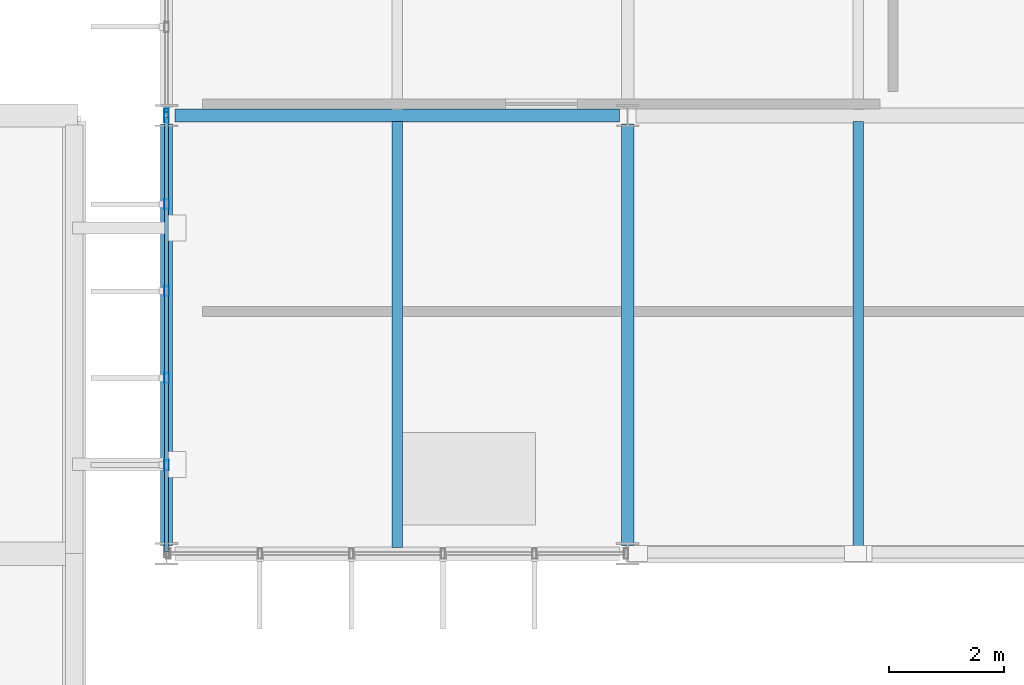
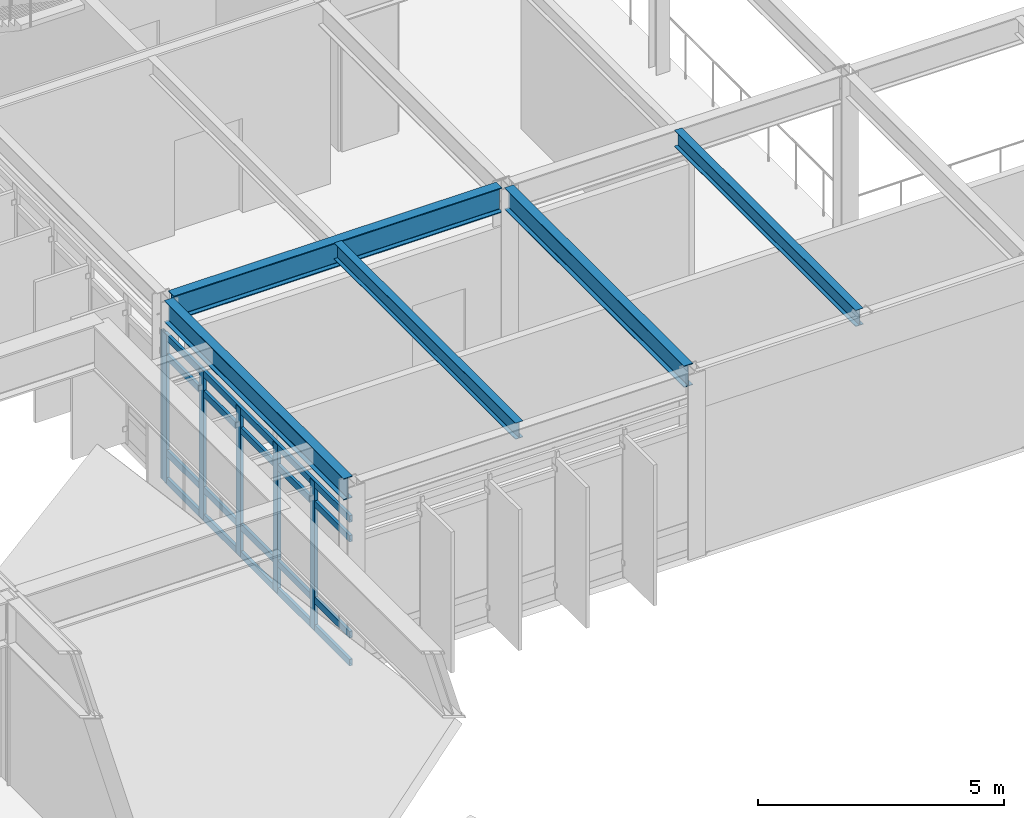
# One storey, part 37 of 104: 10 members, 5 beams, 2 elements without a shape of their own.
"""IFC4 building model written with IfcOpenShell, lengths in metres."""

from ifc_helpers import new_model, si_unit, direction, frame, origin, origin_2d, place, context, subcontext, project, spatial, hollow_rectangle, i_section, extrude, material, material_profile, profile_set, type_object, element, aggregate, save


model = new_model("IFC4")

# Units and contexts
model_context = context("Model", 3, precision=1e-05, world=origin(), true_north=direction((0.0, 1.0)))
body_context = subcontext(model_context, "Body", "Model", "MODEL_VIEW")
ifc_project = project(units=[si_unit("LENGTHUNIT", "METRE"), si_unit("AREAUNIT", "SQUARE_METRE"), si_unit("VOLUMEUNIT", "CUBIC_METRE"), si_unit("PLANEANGLEUNIT", "RADIAN"), si_unit("MASSUNIT", "GRAM", prefix="KILO")], contexts=[model_context])

# Site, building, storey
site_placement = place(None, origin())
site = spatial("IfcSite", under=ifc_project, at=site_placement, CompositionType="ELEMENT")
building_placement = place(site_placement, origin())
building = spatial("IfcBuilding", under=site, at=building_placement, Name="Zulena Civic Courthouse", CompositionType="ELEMENT")
storey_placement = place(building_placement, frame((0.0, 0.0, 10.800048828125)))
storey = spatial("IfcBuildingStorey", under=building, at=storey_placement, Name="L02", CompositionType="ELEMENT", Elevation=10.800048828125)

# Curtain wall, members
ifc_material_1 = material(Name="Double-silver low-E laminated solar-control glass", Category="glass")
curtain_wall_type = type_object("IfcCurtainWallType", Name="CW_7540x3690", PredefinedType="USERDEFINED", material=ifc_material_1)
curtain_wall_1_placement = place(storey_placement, origin())
curtain_wall_1 = element("IfcCurtainWall", 1, at=curtain_wall_1_placement, inside=storey, type_object=curtain_wall_type, Name="cw:V4:L02:0:0", ObjectType="UNITISED CURTAIN WALL", PredefinedType="USERDEFINED")
ifc_material_2 = material(Name="Bronze anodised thermally broken aluminium AA6063-T6", Category="aluminium")
ifc_material_profile_1 = material_profile(ifc_material_2, hollow_rectangle(XDim=0.074951171875, YDim=0.179931640625, WallThickness=0.0048828125, at=origin_2d()), Name="CWM180X75X5")
ifc_profile_set_1 = profile_set([ifc_material_profile_1], Name="Bronze anodised thermally broken aluminium AA6063-T6")
member_type_1 = type_object("IfcMemberType", Name="CWMullion_180x75", PredefinedType="MULLION", material=ifc_profile_set_1)
member_1_placement = place(storey_placement, frame((68.0, 16.738037109375, 0.0), z_axis=(0.0, 0.0, 1.0), x_axis=(1.0, 0.0, 0.0)))
member_1 = element("IfcMember", 2, at=member_1_placement, type_object=member_type_1, Name="cw:V4:L02:0:0:mull:1", PredefinedType="MULLION", context=body_context, shape_type="SweptSolid", body=[
    extrude(hollow_rectangle(XDim=0.074951171875, YDim=0.179931640625, WallThickness=0.0048828125, at=origin_2d()), origin(), (0.0, 0.0, 1.0), 3.68994140625),
])
member_2_placement = place(storey_placement, frame((68.0, 18.24609375, 0.0), z_axis=(0.0, 0.0, 1.0), x_axis=(1.0, 0.0, 0.0)))
member_2 = element("IfcMember", 3, at=member_2_placement, type_object=member_type_1, Name="cw:V4:L02:0:0:mull:2", PredefinedType="MULLION", context=body_context, shape_type="SweptSolid", body=[
    extrude(hollow_rectangle(XDim=0.074951171875, YDim=0.179931640625, WallThickness=0.0048828125, at=origin_2d()), origin(), (0.0, 0.0, 1.0), 3.68994140625),
])
member_3_placement = place(storey_placement, frame((68.0, 19.75390625, 0.0), z_axis=(0.0, 0.0, 1.0), x_axis=(1.0, 0.0, 0.0)))
member_3 = element("IfcMember", 4, at=member_3_placement, type_object=member_type_1, Name="cw:V4:L02:0:0:mull:3", PredefinedType="MULLION", context=body_context, shape_type="SweptSolid", body=[
    extrude(hollow_rectangle(XDim=0.074951171875, YDim=0.179931640625, WallThickness=0.0048828125, at=origin_2d()), origin(), (0.0, 0.0, 1.0), 3.68994140625),
])
member_4_placement = place(storey_placement, frame((68.0, 21.261962890625, 0.0), z_axis=(0.0, 0.0, 1.0), x_axis=(1.0, 0.0, 0.0)))
member_4 = element("IfcMember", 5, at=member_4_placement, type_object=member_type_1, Name="cw:V4:L02:0:0:mull:4", PredefinedType="MULLION", context=body_context, shape_type="SweptSolid", body=[
    extrude(hollow_rectangle(XDim=0.074951171875, YDim=0.179931640625, WallThickness=0.0048828125, at=origin_2d()), origin(), (0.0, 0.0, 1.0), 3.68994140625),
])
member_5_placement = place(storey_placement, frame((68.0, 22.77001953125, 0.0), z_axis=(0.0, 0.0, 1.0), x_axis=(1.0, 0.0, 0.0)))
member_5 = element("IfcMember", 6, at=member_5_placement, type_object=member_type_1, Name="cw:V4:L02:0:0:mull:5", PredefinedType="MULLION", context=body_context, shape_type="SweptSolid", body=[
    extrude(hollow_rectangle(XDim=0.074951171875, YDim=0.179931640625, WallThickness=0.0048828125, at=origin_2d()), origin(), (0.0, 0.0, 1.0), 3.68994140625),
])

# Curtain wall, member
curtain_wall_2_placement = place(storey_placement, origin())
curtain_wall_2 = element("IfcCurtainWall", 7, at=curtain_wall_2_placement, inside=storey, type_object=curtain_wall_type, Name="cw:V4:L02:0:1", ObjectType="UNITISED CURTAIN WALL", PredefinedType="USERDEFINED")
member_6_placement = place(storey_placement, frame((68.0, 22.830078125, 0.0), z_axis=(0.0, 0.0, 1.0), x_axis=(1.0, 0.0, 0.0)))
member_6 = element("IfcMember", 8, at=member_6_placement, type_object=member_type_1, Name="cw:V4:L02:0:1:mull:0", PredefinedType="MULLION", context=body_context, shape_type="SweptSolid", body=[
    extrude(hollow_rectangle(XDim=0.074951171875, YDim=0.179931640625, WallThickness=0.0048828125, at=origin_2d()), origin(), (0.0, 0.0, 1.0), 3.68994140625),
])
aggregate(curtain_wall_2, [member_6])

# Member
ifc_material_profile_2 = material_profile(ifc_material_2, hollow_rectangle(XDim=0.070068359375, YDim=0.1650390625, WallThickness=0.00390625, at=origin_2d()), Name="CWT165X70X4")
ifc_profile_set_2 = profile_set([ifc_material_profile_2], Name="Bronze anodised thermally broken aluminium AA6063-T6")
member_type_2 = type_object("IfcMemberType", Name="CWTransom_165x70", PredefinedType="USERDEFINED", material=ifc_profile_set_2)
member_7_placement = place(storey_placement, frame((68.0, 15.22998046875, 0.06005859375), z_axis=(0.0, 1.0, 0.0), x_axis=(-1.0, 0.0, 0.0)))
member_7 = element("IfcMember", 9, at=member_7_placement, type_object=member_type_2, Name="cw:V4:L02:0:0:tran:0", ObjectType="TRANSOM", PredefinedType="USERDEFINED", context=body_context, shape_type="SweptSolid", body=[
    extrude(hollow_rectangle(XDim=0.070068359375, YDim=0.1650390625, WallThickness=0.00390625, at=origin_2d()), origin(), (0.0, 0.0, 1.0), 7.5400390625),
])

member_8_placement = place(storey_placement, frame((68.0, 15.22998046875, 0.75), z_axis=(0.0, 1.0, 0.0), x_axis=(-1.0, 0.0, 0.0)))
member_8 = element("IfcMember", 10, at=member_8_placement, type_object=member_type_2, Name="cw:V4:L02:0:0:tran:1", ObjectType="TRANSOM", PredefinedType="USERDEFINED", context=body_context, shape_type="SweptSolid", body=[
    extrude(hollow_rectangle(XDim=0.070068359375, YDim=0.1650390625, WallThickness=0.00390625, at=origin_2d()), origin(), (0.0, 0.0, 1.0), 7.5400390625),
])

member_9_placement = place(storey_placement, frame((68.0, 15.22998046875, 3.139892578125), z_axis=(0.0, 1.0, 0.0), x_axis=(-1.0, 0.0, 0.0)))
member_9 = element("IfcMember", 11, at=member_9_placement, type_object=member_type_2, Name="cw:V4:L02:0:0:tran:2", ObjectType="TRANSOM", PredefinedType="USERDEFINED", context=body_context, shape_type="SweptSolid", body=[
    extrude(hollow_rectangle(XDim=0.070068359375, YDim=0.1650390625, WallThickness=0.00390625, at=origin_2d()), origin(), (0.0, 0.0, 1.0), 7.5400390625),
])

member_10_placement = place(storey_placement, frame((68.0, 15.22998046875, 3.6298828125), z_axis=(0.0, 1.0, 0.0), x_axis=(-1.0, 0.0, 0.0)))
member_10 = element("IfcMember", 12, at=member_10_placement, type_object=member_type_2, Name="cw:V4:L02:0:0:tran:3", ObjectType="TRANSOM", PredefinedType="USERDEFINED", context=body_context, shape_type="SweptSolid", body=[
    extrude(hollow_rectangle(XDim=0.070068359375, YDim=0.1650390625, WallThickness=0.00390625, at=origin_2d()), origin(), (0.0, 0.0, 1.0), 7.5400390625),
])

aggregate(curtain_wall_1, [member_1, member_2, member_3, member_4, member_5, member_7, member_8, member_9, member_10])

# Beams
ifc_material_3 = material(Name="Steel ASTM A992 Grade 50", Category="steel")
ifc_material_profile_3 = material_profile(ifc_material_3, i_section(OverallWidth=0.177978515625, OverallDepth=0.406005859375, WebThickness=0.0078125, FlangeThickness=0.0126953125, FilletRadius=0.01025390625, at=origin_2d()), Name="W16X40")
ifc_profile_set_3 = profile_set([ifc_material_profile_3], Name="Steel ASTM A992 Grade 50")
beam_type_1 = type_object("IfcBeamType", Name="Joist_W16X40", PredefinedType="JOIST", material=ifc_profile_set_3)
for number, where, z_axis, x_axis, name in (
    (13, (72.0, 15.304931640625, 4.386962890625), (0.0, 1.0, 0.0), (-1.0, 0.0, 0.0), "joist:V4:L02:72.00:15.2_22.8"),
    (14, (80.0, 15.304931640625, 4.386962890625), (0.0, 1.0, 0.0), (-1.0, 0.0, 0.0), "joist:V4:L02:80.00:15.2_22.8"),
):
    element("IfcBeam", number, at=place(storey_placement, frame(where, z_axis=z_axis, x_axis=x_axis)), inside=storey, type_object=beam_type_1, Name=name, PredefinedType="JOIST", context=body_context, shape_type="SweptSolid", body=[
        extrude(i_section(OverallWidth=0.177978515625, OverallDepth=0.406005859375, WebThickness=0.0078125, FlangeThickness=0.0126953125, FilletRadius=0.01025390625, at=origin_2d()), origin(), (0.0, 0.0, 1.0), 7.39013671875),
    ])
ifc_material_profile_4 = material_profile(ifc_material_3, i_section(OverallWidth=0.2099609375, OverallDepth=0.537109375, WebThickness=0.010986328125, FlangeThickness=0.017333984375, FilletRadius=0.0126953125, at=origin_2d()), Name="W21X68")
ifc_profile_set_4 = profile_set([ifc_material_profile_4], Name="Steel ASTM A992 Grade 50")
beam_type_2 = type_object("IfcBeamType", Name="Spandrel_W21X68", PredefinedType="SPANDREL", material=ifc_profile_set_4)
for number, where, z_axis, x_axis, name in (
    (15, (68.0, 15.344970703125, 4.321533203125), (0.0, 1.0, 0.0), (-1.0, 0.0, 0.0), "beam:Y:V4:L02:68.0:15.2_22.8"),
    (16, (76.0, 15.344970703125, 4.321533203125), (0.0, 1.0, 0.0), (-1.0, 0.0, 0.0), "beam:Y:V4:L02:76.0:15.2_22.8"),
):
    element("IfcBeam", number, at=place(storey_placement, frame(where, z_axis=z_axis, x_axis=x_axis)), inside=storey, type_object=beam_type_2, Name=name, PredefinedType="SPANDREL", context=body_context, shape_type="SweptSolid", body=[
        extrude(i_section(OverallWidth=0.2099609375, OverallDepth=0.537109375, WebThickness=0.010986328125, FlangeThickness=0.017333984375, FilletRadius=0.0126953125, at=origin_2d()), origin(), (0.0, 0.0, 1.0), 7.31005859375),
    ])
ifc_material_profile_5 = material_profile(ifc_material_3, i_section(OverallWidth=0.22998046875, OverallDepth=0.616943359375, WebThickness=0.01318359375, FlangeThickness=0.022216796875, FilletRadius=0.0126953125, at=origin_2d()), Name="W24X94")
ifc_profile_set_5 = profile_set([ifc_material_profile_5], Name="Steel ASTM A992 Grade 50")
beam_type_3 = type_object("IfcBeamType", Name="Spandrel_W24X94", PredefinedType="SPANDREL", material=ifc_profile_set_5)
beam_placement = place(storey_placement, frame((68.14501953125, 22.800048828125, 4.281494140625), z_axis=(1.0, 0.0, 0.0), x_axis=(0.0, 1.0, 0.0)))
element("IfcBeam", 17, at=beam_placement, inside=storey, type_object=beam_type_3, Name="beam:X:V4:L02:22.8:68.0_76.0", PredefinedType="SPANDREL", context=body_context, shape_type="SweptSolid", body=[
    extrude(i_section(OverallWidth=0.22998046875, OverallDepth=0.616943359375, WebThickness=0.01318359375, FlangeThickness=0.022216796875, FilletRadius=0.0126953125, at=origin_2d()), origin(), (0.0, 0.0, 1.0), 7.7099609375),
])

save(model, "model.ifc")
